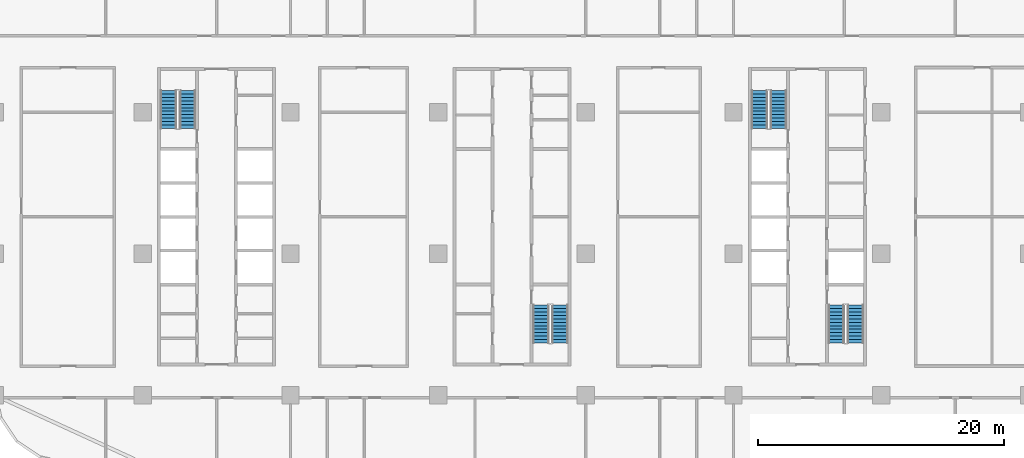
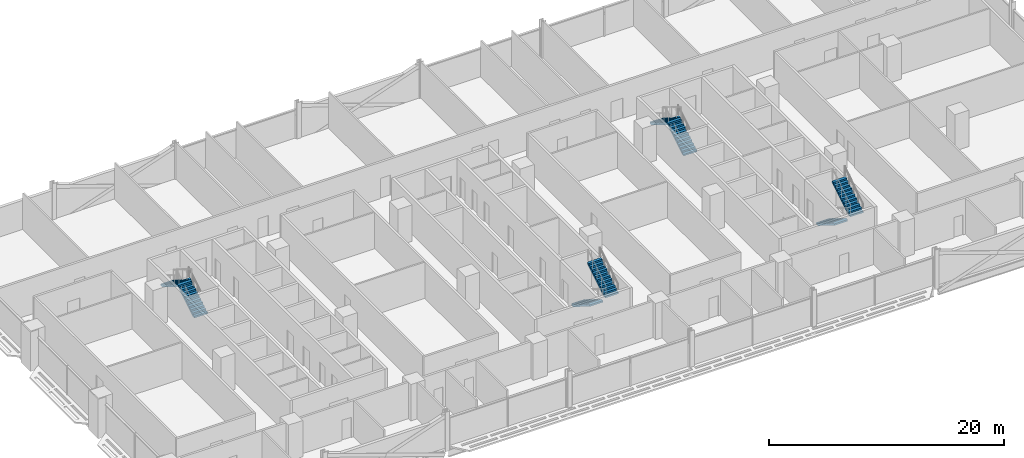
# One storey, part 18 of 29: 8 stair flights, 4 elements without a shape of their own.
"""IFC4 building model written with IfcOpenShell, lengths in metres."""

from ifc_helpers import new_model, si_unit, direction, frame, origin, place, context, subcontext, project, spatial, polyline, outline, extrude, material, type_object, element, aggregate, save


model = new_model("IFC4")

# Units and contexts
model_context = context("Model", 3, precision=1e-05, world=origin(), true_north=direction((0.0, 1.0)))
body_context = subcontext(model_context, "Body", "Model", "MODEL_VIEW")
ifc_project = project(units=[si_unit("LENGTHUNIT", "METRE"), si_unit("AREAUNIT", "SQUARE_METRE"), si_unit("VOLUMEUNIT", "CUBIC_METRE"), si_unit("PLANEANGLEUNIT", "RADIAN"), si_unit("MASSUNIT", "GRAM", prefix="KILO")], contexts=[model_context])

# Site, building, storey
site_placement = place(None, origin())
site = spatial("IfcSite", under=ifc_project, at=site_placement, CompositionType="ELEMENT")
building_placement = place(site_placement, origin())
building = spatial("IfcBuilding", under=site, at=building_placement, Name="Mahtab Terrace Research Tower", CompositionType="ELEMENT")
storey_placement = place(building_placement, frame((0.0, 0.0, 109.39990234375)))
storey = spatial("IfcBuildingStorey", under=building, at=storey_placement, Name="L25", CompositionType="ELEMENT", Elevation=109.39990234375)

# Stair, stair flights
ifc_material_1 = material(Name="Exit stair half-turn")
stair_type = type_object("IfcStairType", Name="Exit stair half-turn", PredefinedType="HALF_TURN_STAIR", material=ifc_material_1)
stair_1_placement = place(storey_placement, origin())
stair_1 = element("IfcStair", 1, at=stair_1_placement, inside=storey, type_object=stair_type, Name="L25 Protected exit stair ST1", PredefinedType="HALF_TURN_STAIR")
ifc_material_2 = material(Name="Concrete C40/50", Category="concrete")
stair_flight_type = type_object("IfcStairFlightType", Name="Exit stair flight 1300", PredefinedType="STRAIGHT", material=ifc_material_2)
stair_flight_1_placement = place(storey_placement, frame((-26.35009765625, 10.175048828125, 0.0), z_axis=(0.0, 0.0, 1.0), x_axis=(0.0, 1.0, 0.0)))
stair_flight_1 = element("IfcStairFlight", 2, at=stair_flight_1_placement, type_object=stair_flight_type, Name="ST1 flight 1", NumberOfRisers=12, NumberOfTreads=11, PredefinedType="STRAIGHT", RiserHeight=0.170833333, TreadLength=0.28, context=body_context, shape_type="SweptSolid", body=[
    extrude(outline(polyline([(0.0, 0.0), (0.0, 0.1708984375), (0.280029296875, 0.1708984375), (0.280029296875, 0.341552734375), (0.56005859375, 0.341552734375), (0.56005859375, 0.512451171875), (0.840087890625, 0.512451171875), (0.840087890625, 0.683349609375), (1.1201171875, 0.683349609375), (1.1201171875, 0.854248046875), (1.39990234375, 0.854248046875), (1.39990234375, 1.02490234375), (1.679931640625, 1.02490234375), (1.679931640625, 1.19580078125), (1.9599609375, 1.19580078125), (1.9599609375, 1.36669921875), (2.239990234375, 1.36669921875), (2.239990234375, 1.53759765625), (2.52001953125, 1.53759765625), (2.52001953125, 1.708251953125), (2.800048828125, 1.708251953125), (2.800048828125, 1.879150390625), (3.080078125, 1.879150390625), (3.080078125, 2.050048828125), (3.080078125, 1.70361328125), (0.287841796875, 0.0), (0.0, 0.0)])), frame((0.0, 0.64990234375, 0.0), z_axis=(0.0, -1.0, 0.0), x_axis=(1.0, 0.0, 0.0)), (0.0, 0.0, 1.0), 1.300048828125),
])
stair_flight_2_placement = place(storey_placement, frame((-27.89990234375, 13.2548828125, 2.050048828125), z_axis=(0.0, 0.0, 1.0), x_axis=(0.0, -1.0, 0.0)))
stair_flight_2 = element("IfcStairFlight", 3, at=stair_flight_2_placement, type_object=stair_flight_type, Name="ST1 flight 2", NumberOfRisers=12, NumberOfTreads=11, PredefinedType="STRAIGHT", RiserHeight=0.170833333, TreadLength=0.28, context=body_context, shape_type="SweptSolid", body=[
    extrude(outline(polyline([(0.0, 0.0), (0.0, 0.1708984375), (0.280029296875, 0.1708984375), (0.280029296875, 0.341552734375), (0.56005859375, 0.341552734375), (0.56005859375, 0.512451171875), (0.840087890625, 0.512451171875), (0.840087890625, 0.683349609375), (1.1201171875, 0.683349609375), (1.1201171875, 0.854248046875), (1.39990234375, 0.854248046875), (1.39990234375, 1.02490234375), (1.679931640625, 1.02490234375), (1.679931640625, 1.19580078125), (1.9599609375, 1.19580078125), (1.9599609375, 1.36669921875), (2.239990234375, 1.36669921875), (2.239990234375, 1.53759765625), (2.52001953125, 1.53759765625), (2.52001953125, 1.708251953125), (2.800048828125, 1.708251953125), (2.800048828125, 1.879150390625), (3.080078125, 1.879150390625), (3.080078125, 2.050048828125), (3.080078125, 1.70361328125), (0.287841796875, 0.0), (0.0, 0.0)])), frame((0.0, 0.64990234375, 0.0), z_axis=(0.0, -1.0, 0.0), x_axis=(1.0, 0.0, 0.0)), (0.0, 0.0, 1.0), 1.300048828125),
])
aggregate(stair_1, [stair_flight_1, stair_flight_2])

stair_2_placement = place(storey_placement, origin())
stair_2 = element("IfcStair", 4, at=stair_2_placement, inside=storey, type_object=stair_type, Name="L25 Protected exit stair ST2", PredefinedType="HALF_TURN_STAIR")
stair_flight_3_placement = place(storey_placement, frame((2.35009765625, -4.175048828125, 0.0), z_axis=(0.0, 0.0, 1.0), x_axis=(0.0, -1.0, 0.0)))
stair_flight_3 = element("IfcStairFlight", 5, at=stair_flight_3_placement, type_object=stair_flight_type, Name="ST2 flight 1", NumberOfRisers=12, NumberOfTreads=11, PredefinedType="STRAIGHT", RiserHeight=0.170833333, TreadLength=0.28, context=body_context, shape_type="SweptSolid", body=[
    extrude(outline(polyline([(0.0, 0.0), (0.0, 0.1708984375), (0.280029296875, 0.1708984375), (0.280029296875, 0.341552734375), (0.56005859375, 0.341552734375), (0.56005859375, 0.512451171875), (0.840087890625, 0.512451171875), (0.840087890625, 0.683349609375), (1.1201171875, 0.683349609375), (1.1201171875, 0.854248046875), (1.39990234375, 0.854248046875), (1.39990234375, 1.02490234375), (1.679931640625, 1.02490234375), (1.679931640625, 1.19580078125), (1.9599609375, 1.19580078125), (1.9599609375, 1.36669921875), (2.239990234375, 1.36669921875), (2.239990234375, 1.53759765625), (2.52001953125, 1.53759765625), (2.52001953125, 1.708251953125), (2.800048828125, 1.708251953125), (2.800048828125, 1.879150390625), (3.080078125, 1.879150390625), (3.080078125, 2.050048828125), (3.080078125, 1.70361328125), (0.287841796875, 0.0), (0.0, 0.0)])), frame((0.0, 0.64990234375, 0.0), z_axis=(0.0, -1.0, 0.0), x_axis=(1.0, 0.0, 0.0)), (0.0, 0.0, 1.0), 1.300048828125),
])
stair_flight_4_placement = place(storey_placement, frame((3.89990234375, -7.2548828125, 2.050048828125), z_axis=(0.0, 0.0, 1.0), x_axis=(0.0, 1.0, 0.0)))
stair_flight_4 = element("IfcStairFlight", 6, at=stair_flight_4_placement, type_object=stair_flight_type, Name="ST2 flight 2", NumberOfRisers=12, NumberOfTreads=11, PredefinedType="STRAIGHT", RiserHeight=0.170833333, TreadLength=0.28, context=body_context, shape_type="SweptSolid", body=[
    extrude(outline(polyline([(0.0, 0.0), (0.0, 0.1708984375), (0.280029296875, 0.1708984375), (0.280029296875, 0.341552734375), (0.56005859375, 0.341552734375), (0.56005859375, 0.512451171875), (0.840087890625, 0.512451171875), (0.840087890625, 0.683349609375), (1.1201171875, 0.683349609375), (1.1201171875, 0.854248046875), (1.39990234375, 0.854248046875), (1.39990234375, 1.02490234375), (1.679931640625, 1.02490234375), (1.679931640625, 1.19580078125), (1.9599609375, 1.19580078125), (1.9599609375, 1.36669921875), (2.239990234375, 1.36669921875), (2.239990234375, 1.53759765625), (2.52001953125, 1.53759765625), (2.52001953125, 1.708251953125), (2.800048828125, 1.708251953125), (2.800048828125, 1.879150390625), (3.080078125, 1.879150390625), (3.080078125, 2.050048828125), (3.080078125, 1.70361328125), (0.287841796875, 0.0), (0.0, 0.0)])), frame((0.0, 0.64990234375, 0.0), z_axis=(0.0, -1.0, 0.0), x_axis=(1.0, 0.0, 0.0)), (0.0, 0.0, 1.0), 1.300048828125),
])
aggregate(stair_2, [stair_flight_3, stair_flight_4])

stair_3_placement = place(storey_placement, origin())
stair_3 = element("IfcStair", 7, at=stair_3_placement, inside=storey, type_object=stair_type, Name="L25 Protected exit stair ST3", PredefinedType="HALF_TURN_STAIR")
stair_flight_5_placement = place(storey_placement, frame((21.64990234375, 10.175048828125, 0.0), z_axis=(0.0, 0.0, 1.0), x_axis=(0.0, 1.0, 0.0)))
stair_flight_5 = element("IfcStairFlight", 8, at=stair_flight_5_placement, type_object=stair_flight_type, Name="ST3 flight 1", NumberOfRisers=12, NumberOfTreads=11, PredefinedType="STRAIGHT", RiserHeight=0.170833333, TreadLength=0.28, context=body_context, shape_type="SweptSolid", body=[
    extrude(outline(polyline([(0.0, 0.0), (0.0, 0.1708984375), (0.280029296875, 0.1708984375), (0.280029296875, 0.341552734375), (0.56005859375, 0.341552734375), (0.56005859375, 0.512451171875), (0.840087890625, 0.512451171875), (0.840087890625, 0.683349609375), (1.1201171875, 0.683349609375), (1.1201171875, 0.854248046875), (1.39990234375, 0.854248046875), (1.39990234375, 1.02490234375), (1.679931640625, 1.02490234375), (1.679931640625, 1.19580078125), (1.9599609375, 1.19580078125), (1.9599609375, 1.36669921875), (2.239990234375, 1.36669921875), (2.239990234375, 1.53759765625), (2.52001953125, 1.53759765625), (2.52001953125, 1.708251953125), (2.800048828125, 1.708251953125), (2.800048828125, 1.879150390625), (3.080078125, 1.879150390625), (3.080078125, 2.050048828125), (3.080078125, 1.70361328125), (0.287841796875, 0.0), (0.0, 0.0)])), frame((0.0, 0.64990234375, 0.0), z_axis=(0.0, -1.0, 0.0), x_axis=(1.0, 0.0, 0.0)), (0.0, 0.0, 1.0), 1.300048828125),
])
stair_flight_6_placement = place(storey_placement, frame((20.10009765625, 13.2548828125, 2.050048828125), z_axis=(0.0, 0.0, 1.0), x_axis=(0.0, -1.0, 0.0)))
stair_flight_6 = element("IfcStairFlight", 9, at=stair_flight_6_placement, type_object=stair_flight_type, Name="ST3 flight 2", NumberOfRisers=12, NumberOfTreads=11, PredefinedType="STRAIGHT", RiserHeight=0.170833333, TreadLength=0.28, context=body_context, shape_type="SweptSolid", body=[
    extrude(outline(polyline([(0.0, 0.0), (0.0, 0.1708984375), (0.280029296875, 0.1708984375), (0.280029296875, 0.341552734375), (0.56005859375, 0.341552734375), (0.56005859375, 0.512451171875), (0.840087890625, 0.512451171875), (0.840087890625, 0.683349609375), (1.1201171875, 0.683349609375), (1.1201171875, 0.854248046875), (1.39990234375, 0.854248046875), (1.39990234375, 1.02490234375), (1.679931640625, 1.02490234375), (1.679931640625, 1.19580078125), (1.9599609375, 1.19580078125), (1.9599609375, 1.36669921875), (2.239990234375, 1.36669921875), (2.239990234375, 1.53759765625), (2.52001953125, 1.53759765625), (2.52001953125, 1.708251953125), (2.800048828125, 1.708251953125), (2.800048828125, 1.879150390625), (3.080078125, 1.879150390625), (3.080078125, 2.050048828125), (3.080078125, 1.70361328125), (0.287841796875, 0.0), (0.0, 0.0)])), frame((0.0, 0.64990234375, 0.0), z_axis=(0.0, -1.0, 0.0), x_axis=(1.0, 0.0, 0.0)), (0.0, 0.0, 1.0), 1.300048828125),
])
aggregate(stair_3, [stair_flight_5, stair_flight_6])

stair_4_placement = place(storey_placement, origin())
stair_4 = element("IfcStair", 10, at=stair_4_placement, inside=storey, type_object=stair_type, Name="L25 Protected exit stair ST4", PredefinedType="HALF_TURN_STAIR")
stair_flight_7_placement = place(storey_placement, frame((26.35009765625, -4.175048828125, 0.0), z_axis=(0.0, 0.0, 1.0), x_axis=(0.0, -1.0, 0.0)))
stair_flight_7 = element("IfcStairFlight", 11, at=stair_flight_7_placement, type_object=stair_flight_type, Name="ST4 flight 1", NumberOfRisers=12, NumberOfTreads=11, PredefinedType="STRAIGHT", RiserHeight=0.170833333, TreadLength=0.28, context=body_context, shape_type="SweptSolid", body=[
    extrude(outline(polyline([(0.0, 0.0), (0.0, 0.1708984375), (0.280029296875, 0.1708984375), (0.280029296875, 0.341552734375), (0.56005859375, 0.341552734375), (0.56005859375, 0.512451171875), (0.840087890625, 0.512451171875), (0.840087890625, 0.683349609375), (1.1201171875, 0.683349609375), (1.1201171875, 0.854248046875), (1.39990234375, 0.854248046875), (1.39990234375, 1.02490234375), (1.679931640625, 1.02490234375), (1.679931640625, 1.19580078125), (1.9599609375, 1.19580078125), (1.9599609375, 1.36669921875), (2.239990234375, 1.36669921875), (2.239990234375, 1.53759765625), (2.52001953125, 1.53759765625), (2.52001953125, 1.708251953125), (2.800048828125, 1.708251953125), (2.800048828125, 1.879150390625), (3.080078125, 1.879150390625), (3.080078125, 2.050048828125), (3.080078125, 1.70361328125), (0.287841796875, 0.0), (0.0, 0.0)])), frame((0.0, 0.64990234375, 0.0), z_axis=(0.0, -1.0, 0.0), x_axis=(1.0, 0.0, 0.0)), (0.0, 0.0, 1.0), 1.300048828125),
])
stair_flight_8_placement = place(storey_placement, frame((27.89990234375, -7.2548828125, 2.050048828125), z_axis=(0.0, 0.0, 1.0), x_axis=(0.0, 1.0, 0.0)))
stair_flight_8 = element("IfcStairFlight", 12, at=stair_flight_8_placement, type_object=stair_flight_type, Name="ST4 flight 2", NumberOfRisers=12, NumberOfTreads=11, PredefinedType="STRAIGHT", RiserHeight=0.170833333, TreadLength=0.28, context=body_context, shape_type="SweptSolid", body=[
    extrude(outline(polyline([(0.0, 0.0), (0.0, 0.1708984375), (0.280029296875, 0.1708984375), (0.280029296875, 0.341552734375), (0.56005859375, 0.341552734375), (0.56005859375, 0.512451171875), (0.840087890625, 0.512451171875), (0.840087890625, 0.683349609375), (1.1201171875, 0.683349609375), (1.1201171875, 0.854248046875), (1.39990234375, 0.854248046875), (1.39990234375, 1.02490234375), (1.679931640625, 1.02490234375), (1.679931640625, 1.19580078125), (1.9599609375, 1.19580078125), (1.9599609375, 1.36669921875), (2.239990234375, 1.36669921875), (2.239990234375, 1.53759765625), (2.52001953125, 1.53759765625), (2.52001953125, 1.708251953125), (2.800048828125, 1.708251953125), (2.800048828125, 1.879150390625), (3.080078125, 1.879150390625), (3.080078125, 2.050048828125), (3.080078125, 1.70361328125), (0.287841796875, 0.0), (0.0, 0.0)])), frame((0.0, 0.64990234375, 0.0), z_axis=(0.0, -1.0, 0.0), x_axis=(1.0, 0.0, 0.0)), (0.0, 0.0, 1.0), 1.300048828125),
])
aggregate(stair_4, [stair_flight_7, stair_flight_8])

save(model, "model.ifc")
